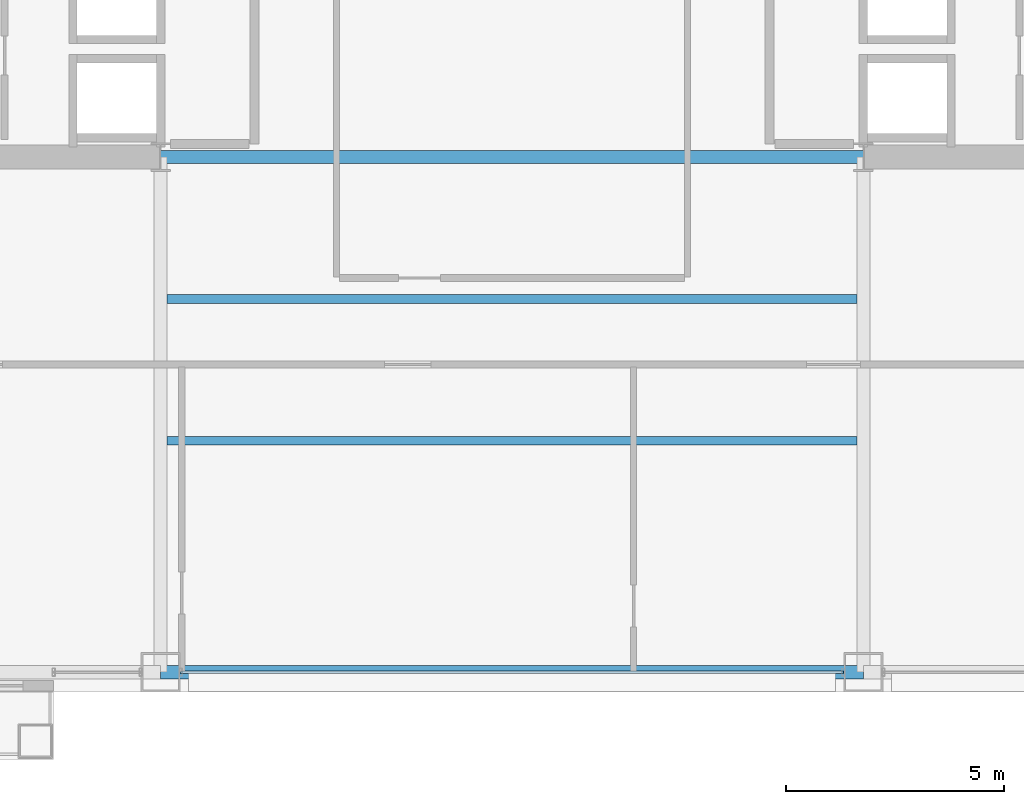
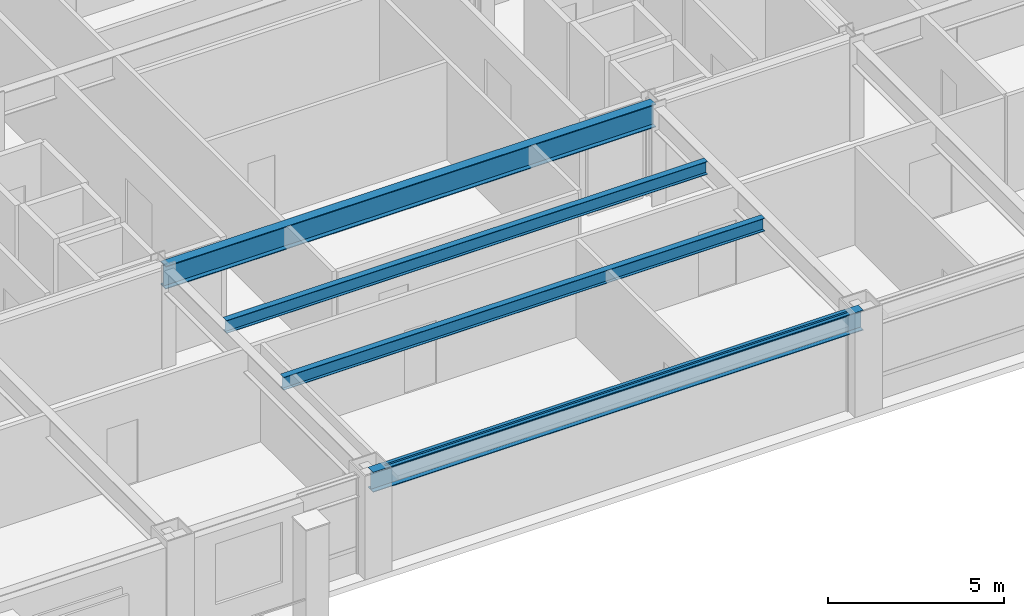
# One storey, part 6 of 29: 4 beams, 1 member, 1 element without a shape of its own.
"""IFC4 building model written with IfcOpenShell, lengths in metres."""

from ifc_helpers import new_model, si_unit, direction, frame, origin, origin_2d, place, context, subcontext, project, spatial, hollow_rectangle, i_section, extrude, material, layer, layer_set, material_profile, profile_set, type_object, element, aggregate, save


model = new_model("IFC4")

# Units and contexts
model_context = context("Model", 3, precision=1e-05, world=origin(), true_north=direction((0.0, 1.0)))
body_context = subcontext(model_context, "Body", "Model", "MODEL_VIEW")
ifc_project = project(units=[si_unit("LENGTHUNIT", "METRE"), si_unit("AREAUNIT", "SQUARE_METRE"), si_unit("VOLUMEUNIT", "CUBIC_METRE"), si_unit("PLANEANGLEUNIT", "RADIAN"), si_unit("MASSUNIT", "GRAM", prefix="KILO")], contexts=[model_context])

# Site, building, storey
site_placement = place(None, origin())
site = spatial("IfcSite", under=ifc_project, at=site_placement, CompositionType="ELEMENT")
building_placement = place(site_placement, origin())
building = spatial("IfcBuilding", under=site, at=building_placement, Name="Brelmoor Portico Tower", CompositionType="ELEMENT")
storey_placement = place(building_placement, frame((0.0, 0.0, 60.0)))
storey = spatial("IfcBuildingStorey", under=building, at=storey_placement, Name="L15", CompositionType="ELEMENT", Elevation=60.0)

# Beams
ifc_material_1 = material(Name="Steel Q355B", Category="steel")
ifc_material_profile_1 = material_profile(ifc_material_1, i_section(OverallWidth=0.199951171875, OverallDepth=0.449951171875, WebThickness=0.009033203125, FlangeThickness=0.013916015625, at=origin_2d()), Name="HN 450x200x9x14")
ifc_profile_set_1 = profile_set([ifc_material_profile_1], Name="Steel Q355B")
beam_type_1 = type_object("IfcBeamType", Name="BM-JS-450", PredefinedType="JOIST", material=ifc_profile_set_1)
for number, where, z_axis, x_axis, name in (
    (1, (-7.89990234375, -16.25, 3.175048828125), (1.0, 0.0, 0.0), (0.0, 1.0, 0.0), "L15 Secondary Composite Joist JS-C01"),
    (2, (-7.89990234375, -13.0, 3.175048828125), (1.0, 0.0, 0.0), (0.0, 1.0, 0.0), "L15 Secondary Composite Joist JS-C02"),
):
    element("IfcBeam", number, at=place(storey_placement, frame(where, z_axis=z_axis, x_axis=x_axis)), inside=storey, type_object=beam_type_1, Name=name, PredefinedType="JOIST", context=body_context, shape_type="SweptSolid", body=[
        extrude(i_section(OverallWidth=0.199951171875, OverallDepth=0.449951171875, WebThickness=0.009033203125, FlangeThickness=0.013916015625, at=origin_2d()), origin(), (0.0, 0.0, 1.0), 15.7998046875),
    ])
ifc_material_profile_2 = material_profile(ifc_material_1, i_section(OverallWidth=0.300048828125, OverallDepth=0.800048828125, WebThickness=0.013916015625, FlangeThickness=0.02587890625, at=origin_2d()), Name="HN 800x300x14x26")
ifc_profile_set_2 = profile_set([ifc_material_profile_2], Name="Steel Q355B")
beam_type_2 = type_object("IfcBeamType", Name="BM-PG-800", PredefinedType="BEAM", material=ifc_profile_set_2)
beam_1_placement = place(storey_placement, frame((-8.050048828125, -9.75, 3.0), z_axis=(1.0, 0.0, 0.0), x_axis=(0.0, 1.0, 0.0)))
element("IfcBeam", 3, at=beam_1_placement, inside=storey, type_object=beam_type_2, Name="L15 Primary Floor Girder PG-21", PredefinedType="BEAM", context=body_context, shape_type="SweptSolid", body=[
    extrude(i_section(OverallWidth=0.300048828125, OverallDepth=0.800048828125, WebThickness=0.013916015625, FlangeThickness=0.02587890625, at=origin_2d()), origin(), (0.0, 0.0, 1.0), 16.10009765625),
])
ifc_material_profile_3 = material_profile(ifc_material_1, i_section(OverallWidth=0.300048828125, OverallDepth=0.699951171875, WebThickness=0.012939453125, FlangeThickness=0.02392578125, at=origin_2d()), Name="HN 700x300x13x24")
ifc_profile_set_3 = profile_set([ifc_material_profile_3], Name="Steel Q355B")
beam_type_3 = type_object("IfcBeamType", Name="BM-SP-700", PredefinedType="SPANDREL", material=ifc_profile_set_3)
beam_2_placement = place(storey_placement, frame((-8.050048828125, -21.550048828125, 3.050048828125), z_axis=(1.0, 0.0, 0.0), x_axis=(0.0, 1.0, 0.0)))
element("IfcBeam", 4, at=beam_2_placement, inside=storey, type_object=beam_type_3, Name="L15 Perimeter Spandrel Beam SP-03", PredefinedType="SPANDREL", context=body_context, shape_type="SweptSolid", body=[
    extrude(i_section(OverallWidth=0.300048828125, OverallDepth=0.699951171875, WebThickness=0.012939453125, FlangeThickness=0.02392578125, at=origin_2d()), origin(), (0.0, 0.0, 1.0), 16.10009765625),
])

# Curtain wall, member
ifc_material_2 = material(Name="Anodised Aluminium Alloy 6063-T6", Category="aluminium")
ifc_layer = layer(ifc_material_2, 0.179931640625)
ifc_layer_set = layer_set([ifc_layer], Name="Anodised Aluminium Alloy 6063-T6")
curtain_wall_type = type_object("IfcCurtainWallType", Name="CW-TOWER-Z1-XB", PredefinedType="NOTDEFINED", material=ifc_layer_set)
curtain_wall_placement = place(storey_placement, origin())
curtain_wall = element("IfcCurtainWall", 5, at=curtain_wall_placement, inside=storey, type_object=curtain_wall_type, Name="L15 Curtain Wall CW-L15-1R-2", PredefinedType="NOTDEFINED")
ifc_material_profile_4 = material_profile(ifc_material_2, hollow_rectangle(XDim=0.06494140625, YDim=0.139892578125, WallThickness=0.00390625, at=origin_2d()), Name="ALU TRANSOM 65x140")
ifc_profile_set_4 = profile_set([ifc_material_profile_4], Name="Anodised Aluminium Alloy 6063-T6")
member_type = type_object("IfcMemberType", Name="MB-CW-TRAN-140", PredefinedType="USERDEFINED", material=ifc_profile_set_4)
member_placement = place(storey_placement, frame((-7.590087890625, -21.550048828125, 3.330078125), z_axis=(1.0, 0.0, 0.0), x_axis=(0.0, 1.0, 0.0)))
member = element("IfcMember", 6, at=member_placement, type_object=member_type, Name="CW-L15-1R-2 Transom 1-00", ObjectType="TRANSOM", PredefinedType="USERDEFINED", context=body_context, shape_type="SweptSolid", body=[
    extrude(hollow_rectangle(XDim=0.06494140625, YDim=0.139892578125, WallThickness=0.00390625, at=origin_2d()), origin(), (0.0, 0.0, 1.0), 15.18017578125),
])
aggregate(curtain_wall, [member])

save(model, "model.ifc")
